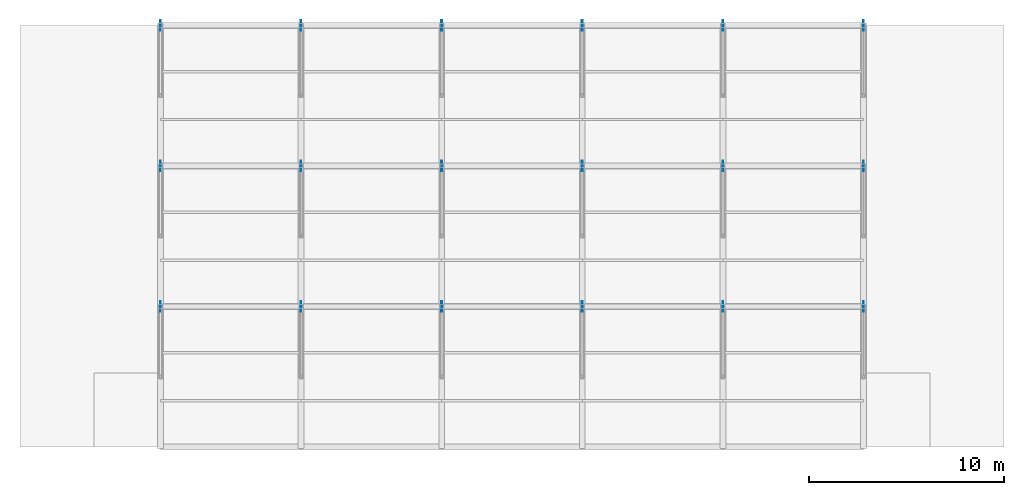
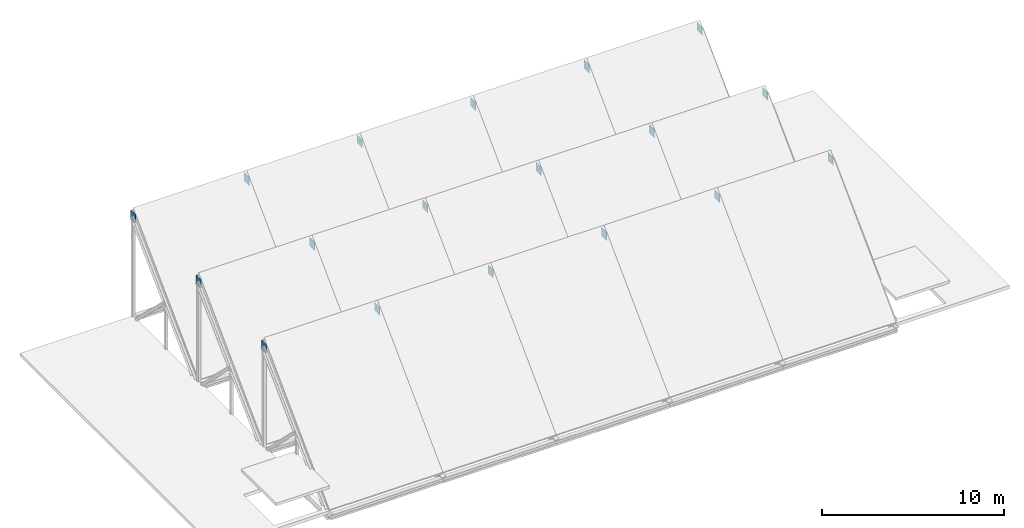
# One storey, part 6 of 7: 18 plates.
"""IFC4 building model written with IfcOpenShell, lengths in metres."""

from ifc_helpers import new_model, si_unit, direction, frame, origin, origin_2d, place, context, subcontext, project, spatial, rectangle, extrude, material, layer, layer_set, type_object, element, save


model = new_model("IFC4")

# Units and contexts
model_context = context("Model", 3, precision=1e-05, world=origin(), true_north=direction((0.0, 1.0)))
body_context = subcontext(model_context, "Body", "Model", "MODEL_VIEW")
ifc_project = project(units=[si_unit("LENGTHUNIT", "METRE"), si_unit("AREAUNIT", "SQUARE_METRE"), si_unit("VOLUMEUNIT", "CUBIC_METRE"), si_unit("PLANEANGLEUNIT", "RADIAN"), si_unit("MASSUNIT", "GRAM", prefix="KILO")], contexts=[model_context])

# Site, building, storey
site_placement = place(None, origin())
site = spatial("IfcSite", under=ifc_project, at=site_placement, CompositionType="ELEMENT")
building_placement = place(site_placement, origin())
building = spatial("IfcBuilding", under=site, at=building_placement, Name="Zlatovets Crest Museum", CompositionType="ELEMENT")
storey_placement = place(building_placement, frame((0.0, 0.0, 30.60009765625)))
storey = spatial("IfcBuildingStorey", under=building, at=storey_placement, Name="Roof", CompositionType="ELEMENT", Elevation=30.60009765625)

# Plates
ifc_material = material(Name="Structural steel S355J2", Category="steel")
ifc_layer = layer(ifc_material, 0.030029296875)
ifc_layer_set = layer_set([ifc_layer], Name="Structural steel S355J2")
plate_type = type_object("IfcPlateType", Name="Gusset_GP-02", PredefinedType="USERDEFINED", material=ifc_layer_set)
for number, where, z_axis, x_axis, name in (
    (1, (64.800048828125, 100.800048828125, 6.3935546875), (0.0, 0.0, 1.0), (1.0, 0.0, 0.0), "V1 Sawtooth Tooth 1 Apex Gusset"),
    (2, (64.800048828125, 108.0, 6.3935546875), (0.0, 0.0, 1.0), (1.0, 0.0, 0.0), "V1 Sawtooth Tooth 2 Apex Gusset"),
    (3, (64.800048828125, 115.199951171875, 6.3935546875), (0.0, 0.0, 1.0), (1.0, 0.0, 0.0), "V1 Sawtooth Tooth 3 Apex Gusset"),
    (4, (72.0, 100.800048828125, 6.3935546875), (0.0, 0.0, 1.0), (1.0, 0.0, 0.0), "V1 Sawtooth Tooth 1 Apex Gusset"),
    (5, (72.0, 108.0, 6.3935546875), (0.0, 0.0, 1.0), (1.0, 0.0, 0.0), "V1 Sawtooth Tooth 2 Apex Gusset"),
    (6, (72.0, 115.199951171875, 6.3935546875), (0.0, 0.0, 1.0), (1.0, 0.0, 0.0), "V1 Sawtooth Tooth 3 Apex Gusset"),
    (7, (79.199951171875, 100.800048828125, 6.3935546875), (0.0, 0.0, 1.0), (1.0, 0.0, 0.0), "V1 Sawtooth Tooth 1 Apex Gusset"),
    (8, (79.199951171875, 108.0, 6.3935546875), (0.0, 0.0, 1.0), (1.0, 0.0, 0.0), "V1 Sawtooth Tooth 2 Apex Gusset"),
    (9, (79.199951171875, 115.199951171875, 6.3935546875), (0.0, 0.0, 1.0), (1.0, 0.0, 0.0), "V1 Sawtooth Tooth 3 Apex Gusset"),
    (10, (86.39990234375, 100.800048828125, 6.3935546875), (0.0, 0.0, 1.0), (1.0, 0.0, 0.0), "V1 Sawtooth Tooth 1 Apex Gusset"),
    (11, (86.39990234375, 108.0, 6.3935546875), (0.0, 0.0, 1.0), (1.0, 0.0, 0.0), "V1 Sawtooth Tooth 2 Apex Gusset"),
    (12, (86.39990234375, 115.199951171875, 6.3935546875), (0.0, 0.0, 1.0), (1.0, 0.0, 0.0), "V1 Sawtooth Tooth 3 Apex Gusset"),
    (13, (93.60009765625, 100.800048828125, 6.3935546875), (0.0, 0.0, 1.0), (1.0, 0.0, 0.0), "V1 Sawtooth Tooth 1 Apex Gusset"),
    (14, (93.60009765625, 108.0, 6.3935546875), (0.0, 0.0, 1.0), (1.0, 0.0, 0.0), "V1 Sawtooth Tooth 2 Apex Gusset"),
    (15, (93.60009765625, 115.199951171875, 6.3935546875), (0.0, 0.0, 1.0), (1.0, 0.0, 0.0), "V1 Sawtooth Tooth 3 Apex Gusset"),
    (16, (100.800048828125, 100.800048828125, 6.3935546875), (0.0, 0.0, 1.0), (1.0, 0.0, 0.0), "V1 Sawtooth Tooth 1 Apex Gusset"),
    (17, (100.800048828125, 108.0, 6.3935546875), (0.0, 0.0, 1.0), (1.0, 0.0, 0.0), "V1 Sawtooth Tooth 2 Apex Gusset"),
    (18, (100.800048828125, 115.199951171875, 6.3935546875), (0.0, 0.0, 1.0), (1.0, 0.0, 0.0), "V1 Sawtooth Tooth 3 Apex Gusset"),
):
    element("IfcPlate", number, at=place(storey_placement, frame(where, z_axis=z_axis, x_axis=x_axis)), inside=storey, type_object=plate_type, Name=name, ObjectType="GUSSET", PredefinedType="USERDEFINED", context=body_context, shape_type="SweptSolid", body=[
        extrude(rectangle(XDim=0.030029296875, YDim=0.550048828125, at=origin_2d()), origin(), (0.0, 0.0, 1.0), 0.550048828125),
    ])

save(model, "model.ifc")
